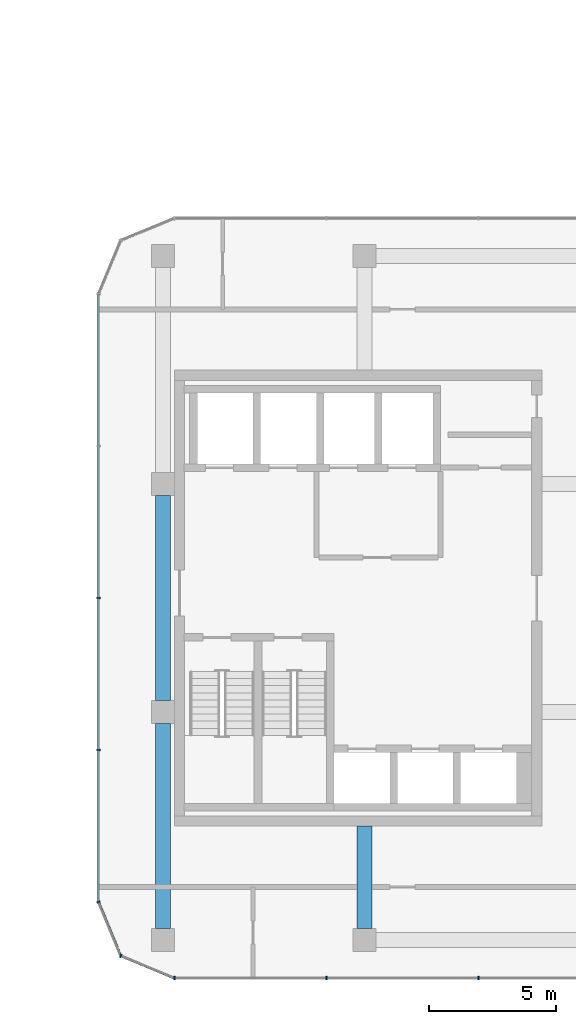
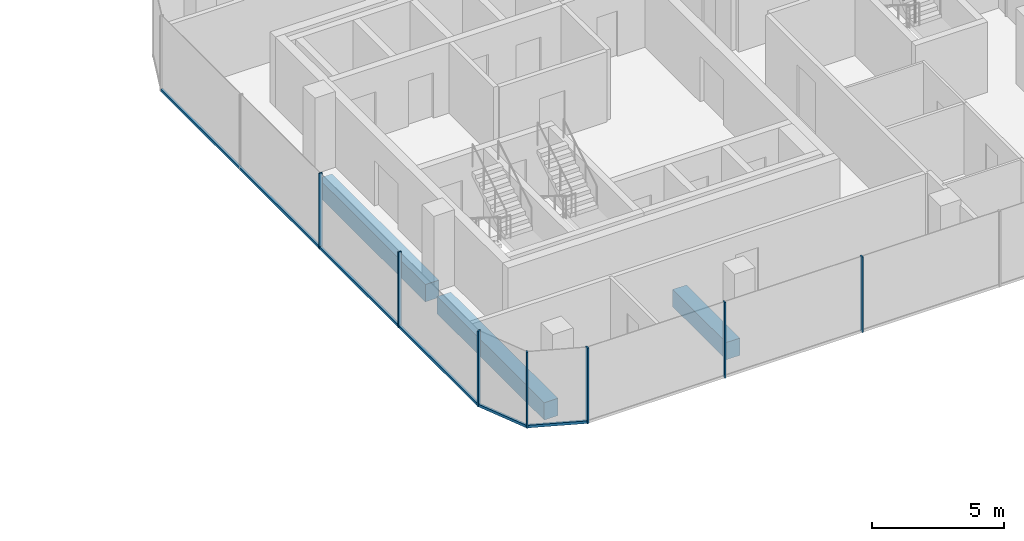
# One storey, part 7 of 22: 10 members, 3 beams, 4 elements without a shape of their own.
"""IFC4 building model written with IfcOpenShell, lengths in metres."""

from ifc_helpers import new_model, si_unit, direction, frame, origin, origin_2d, place, context, subcontext, project, spatial, rectangle, extrude, material, layer, layer_set, material_profile, profile_set, type_object, element, aggregate, save


model = new_model("IFC4")

# Units and contexts
model_context = context("Model", 3, precision=1e-05, world=origin(), true_north=direction((0.0, 1.0)))
body_context = subcontext(model_context, "Body", "Model", "MODEL_VIEW")
ifc_project = project(units=[si_unit("LENGTHUNIT", "METRE"), si_unit("AREAUNIT", "SQUARE_METRE"), si_unit("VOLUMEUNIT", "CUBIC_METRE"), si_unit("PLANEANGLEUNIT", "RADIAN"), si_unit("MASSUNIT", "GRAM", prefix="KILO")], contexts=[model_context])

# Site, building, storey
site_placement = place(None, origin())
site = spatial("IfcSite", under=ifc_project, at=site_placement, CompositionType="ELEMENT")
building_placement = place(site_placement, origin())
building = spatial("IfcBuilding", under=site, at=building_placement, Name="Plateau Cross Towers", CompositionType="ELEMENT")
storey_placement = place(building_placement, frame((0.0, 0.0, 106.300048828125)))
storey = spatial("IfcBuildingStorey", under=building, at=storey_placement, Name="L27", CompositionType="ELEMENT", Elevation=106.300048828125)

# Beam
ifc_material_1 = material(Name="Concrete C60/75", Category="concrete")
ifc_material_profile_1 = material_profile(ifc_material_1, rectangle(XDim=0.60009765625, YDim=0.800048828125, at=origin_2d()), Name="RC 600x800")
ifc_profile_set_1 = profile_set([ifc_material_profile_1], Name="Concrete C60/75")
beam_type_1 = type_object("IfcBeamType", Name="Core beam RC 600x800", PredefinedType="BEAM", material=ifc_profile_set_1)
beam_placement = place(storey_placement, frame((82.5, 0.0, -0.650146484375), z_axis=(0.0, -1.0, 0.0), x_axis=(1.0, 0.0, 0.0)))
element("IfcBeam", 1, at=beam_placement, inside=storey, type_object=beam_type_1, Name="B-CB01@L27", PredefinedType="BEAM", context=body_context, shape_type="SweptSolid", body=[
    extrude(rectangle(XDim=0.60009765625, YDim=0.800048828125, at=origin_2d()), origin(), (0.0, 0.0, 1.0), 4.050048828125),
])

# Curtain wall, members
ifc_material_2 = material(Name="Dark low-iron glass", Category="glass")
ifc_layer = layer(ifc_material_2, 0.239990234375)
ifc_layer_set = layer_set([ifc_layer], Name="Dark low-iron glass")
curtain_wall_type = type_object("IfcCurtainWallType", Name="Curtain wall office unitised CW-F", PredefinedType="NOTDEFINED", material=ifc_layer_set)
curtain_wall_1_placement = place(storey_placement, origin())
curtain_wall_1 = element("IfcCurtainWall", 2, at=curtain_wall_1_placement, inside=storey, type_object=curtain_wall_type, Name="ENV/B/L27/B750_-60", PredefinedType="NOTDEFINED")
ifc_material_3 = material(Name="Black anodised aluminium", Category="aluminium")
ifc_material_profile_2 = material_profile(ifc_material_3, rectangle(XDim=0.06005859375, YDim=0.139892578125, at=origin_2d()), Name="MULLION 60x140")
ifc_profile_set_2 = profile_set([ifc_material_profile_2], Name="Black anodised aluminium")
member_type_1 = type_object("IfcMemberType", Name="Mullion 60x140 office unitised", PredefinedType="MULLION", material=ifc_profile_set_2)
member_1_placement = place(storey_placement, frame((75.0, -6.0, -0.25), z_axis=(0.0, 0.0, 1.0), x_axis=(1.0, 0.0, 0.0)))
member_1 = element("IfcMember", 3, at=member_1_placement, type_object=member_type_1, Name="CW-F mullion 1", PredefinedType="MULLION", context=body_context, shape_type="SweptSolid", body=[
    extrude(rectangle(XDim=0.06005859375, YDim=0.139892578125, at=origin_2d()), origin(), (0.0, 0.0, 1.0), 3.5),
])
member_2_placement = place(storey_placement, frame((81.0, -6.0, -0.25), z_axis=(0.0, 0.0, 1.0), x_axis=(1.0, 0.0, 0.0)))
member_2 = element("IfcMember", 4, at=member_2_placement, type_object=member_type_1, Name="CW-F mullion 2", PredefinedType="MULLION", context=body_context, shape_type="SweptSolid", body=[
    extrude(rectangle(XDim=0.06005859375, YDim=0.139892578125, at=origin_2d()), origin(), (0.0, 0.0, 1.0), 3.5),
])
member_3_placement = place(storey_placement, frame((87.0, -6.0, -0.25), z_axis=(0.0, 0.0, 1.0), x_axis=(1.0, 0.0, 0.0)))
member_3 = element("IfcMember", 5, at=member_3_placement, type_object=member_type_1, Name="CW-F mullion 3", PredefinedType="MULLION", context=body_context, shape_type="SweptSolid", body=[
    extrude(rectangle(XDim=0.06005859375, YDim=0.139892578125, at=origin_2d()), origin(), (0.0, 0.0, 1.0), 3.5),
])
aggregate(curtain_wall_1, [member_1, member_2, member_3])

curtain_wall_2_placement = place(storey_placement, origin())
curtain_wall_2 = element("IfcCurtainWall", 6, at=curtain_wall_2_placement, inside=storey, type_object=curtain_wall_type, Name="ENV/B/L27/B720_210", PredefinedType="NOTDEFINED")
member_4_placement = place(storey_placement, frame((72.0, 9.0, -0.25), z_axis=(0.0, 0.0, 1.0), x_axis=(0.0, -1.0, 0.0)))
member_4 = element("IfcMember", 7, at=member_4_placement, type_object=member_type_1, Name="CW-F mullion 3", PredefinedType="MULLION", context=body_context, shape_type="SweptSolid", body=[
    extrude(rectangle(XDim=0.06005859375, YDim=0.139892578125, at=origin_2d()), origin(), (0.0, 0.0, 1.0), 3.5),
])
member_5_placement = place(storey_placement, frame((72.0, 3.0, -0.25), z_axis=(0.0, 0.0, 1.0), x_axis=(0.0, -1.0, 0.0)))
member_5 = element("IfcMember", 8, at=member_5_placement, type_object=member_type_1, Name="CW-F mullion 4", PredefinedType="MULLION", context=body_context, shape_type="SweptSolid", body=[
    extrude(rectangle(XDim=0.06005859375, YDim=0.139892578125, at=origin_2d()), origin(), (0.0, 0.0, 1.0), 3.5),
])

# Curtain wall, member
curtain_wall_3_placement = place(storey_placement, origin())
curtain_wall_3 = element("IfcCurtainWall", 9, at=curtain_wall_3_placement, inside=storey, type_object=curtain_wall_type, Name="ENV/B/L27/B720_-30", PredefinedType="NOTDEFINED")
member_6_placement = place(storey_placement, frame((72.0, -3.0, -0.25), z_axis=(0.0, 0.0, 1.0), x_axis=(0.382683612978, -0.923879457699, 0.0)))
member_6 = element("IfcMember", 10, at=member_6_placement, type_object=member_type_1, Name="CW-F mullion 1", PredefinedType="MULLION", context=body_context, shape_type="SweptSolid", body=[
    extrude(rectangle(XDim=0.06005859375, YDim=0.139892578125, at=origin_2d()), origin(), (0.0, 0.0, 1.0), 3.5),
])

curtain_wall_4_placement = place(storey_placement, origin())
curtain_wall_4 = element("IfcCurtainWall", 11, at=curtain_wall_4_placement, inside=storey, type_object=curtain_wall_type, Name="ENV/B/L27/B729_-51", PredefinedType="NOTDEFINED")
member_7_placement = place(storey_placement, frame((72.878662109375, -5.121337890625, -0.25), z_axis=(0.0, 0.0, 1.0), x_axis=(0.923879457699, -0.382683612978, 0.0)))
member_7 = element("IfcMember", 12, at=member_7_placement, type_object=member_type_1, Name="CW-F mullion 1", PredefinedType="MULLION", context=body_context, shape_type="SweptSolid", body=[
    extrude(rectangle(XDim=0.06005859375, YDim=0.139892578125, at=origin_2d()), origin(), (0.0, 0.0, 1.0), 3.5),
])

# Beams
ifc_material_profile_3 = material_profile(ifc_material_1, rectangle(XDim=0.60009765625, YDim=0.800048828125, at=origin_2d()), Name="RC 600x800")
ifc_profile_set_3 = profile_set([ifc_material_profile_3], Name="Concrete C60/75")
beam_type_2 = type_object("IfcBeamType", Name="Ring beam RC 600x800", PredefinedType="BEAM", material=ifc_profile_set_3)
for number, where, z_axis, x_axis, name in (
    (13, (74.550048828125, 13.050048828125, -0.650146484375), (0.0, -1.0, 0.0), (1.0, 0.0, 0.0), "B-RB09@L27"),
    (14, (74.550048828125, 4.050048828125, -0.650146484375), (0.0, -1.0, 0.0), (1.0, 0.0, 0.0), "B-RB10@L27"),
):
    element("IfcBeam", number, at=place(storey_placement, frame(where, z_axis=z_axis, x_axis=x_axis)), inside=storey, type_object=beam_type_2, Name=name, PredefinedType="BEAM", context=body_context, shape_type="SweptSolid", body=[
        extrude(rectangle(XDim=0.60009765625, YDim=0.800048828125, at=origin_2d()), origin(), (0.0, 0.0, 1.0), 8.10009765625),
    ])

# Member
ifc_material_profile_4 = material_profile(ifc_material_3, rectangle(XDim=0.10009765625, YDim=0.1201171875, at=origin_2d()), Name="TRANSOM 100x120")
ifc_profile_set_4 = profile_set([ifc_material_profile_4], Name="Black anodised aluminium")
member_type_2 = type_object("IfcMemberType", Name="Transom 100x120 office unitised", PredefinedType="USERDEFINED", material=ifc_profile_set_4)
member_8_placement = place(storey_placement, frame((72.0, 21.0, -0.18994140625), z_axis=(0.0, -1.0, 0.0), x_axis=(1.0, 0.0, 0.0)))
member_8 = element("IfcMember", 15, at=member_8_placement, type_object=member_type_2, Name="CW-F transom", ObjectType="TRANSOM", PredefinedType="USERDEFINED", context=body_context, shape_type="SweptSolid", body=[
    extrude(rectangle(XDim=0.10009765625, YDim=0.1201171875, at=origin_2d()), origin(), (0.0, 0.0, 1.0), 24.0),
])

aggregate(curtain_wall_2, [member_4, member_5, member_8])

member_9_placement = place(storey_placement, frame((72.0, -3.0, -0.18994140625), z_axis=(0.382674207535, -0.923883353507, 0.0), x_axis=(0.923883353507, 0.382674207535, 0.0)))
member_9 = element("IfcMember", 16, at=member_9_placement, type_object=member_type_2, Name="CW-F transom", ObjectType="TRANSOM", PredefinedType="USERDEFINED", context=body_context, shape_type="SweptSolid", body=[
    extrude(rectangle(XDim=0.10009765625, YDim=0.1201171875, at=origin_2d()), origin(), (0.0, 0.0, 1.0), 2.296142578125),
])

aggregate(curtain_wall_3, [member_6, member_9])

member_10_placement = place(storey_placement, frame((72.878662109375, -5.121337890625, -0.18994140625), z_axis=(0.923883353507, -0.382674207535, 0.0), x_axis=(0.382674207535, 0.923883353507, 0.0)))
member_10 = element("IfcMember", 17, at=member_10_placement, type_object=member_type_2, Name="CW-F transom", ObjectType="TRANSOM", PredefinedType="USERDEFINED", context=body_context, shape_type="SweptSolid", body=[
    extrude(rectangle(XDim=0.10009765625, YDim=0.1201171875, at=origin_2d()), origin(), (0.0, 0.0, 1.0), 2.296142578125),
])

aggregate(curtain_wall_4, [member_7, member_10])

save(model, "model.ifc")
